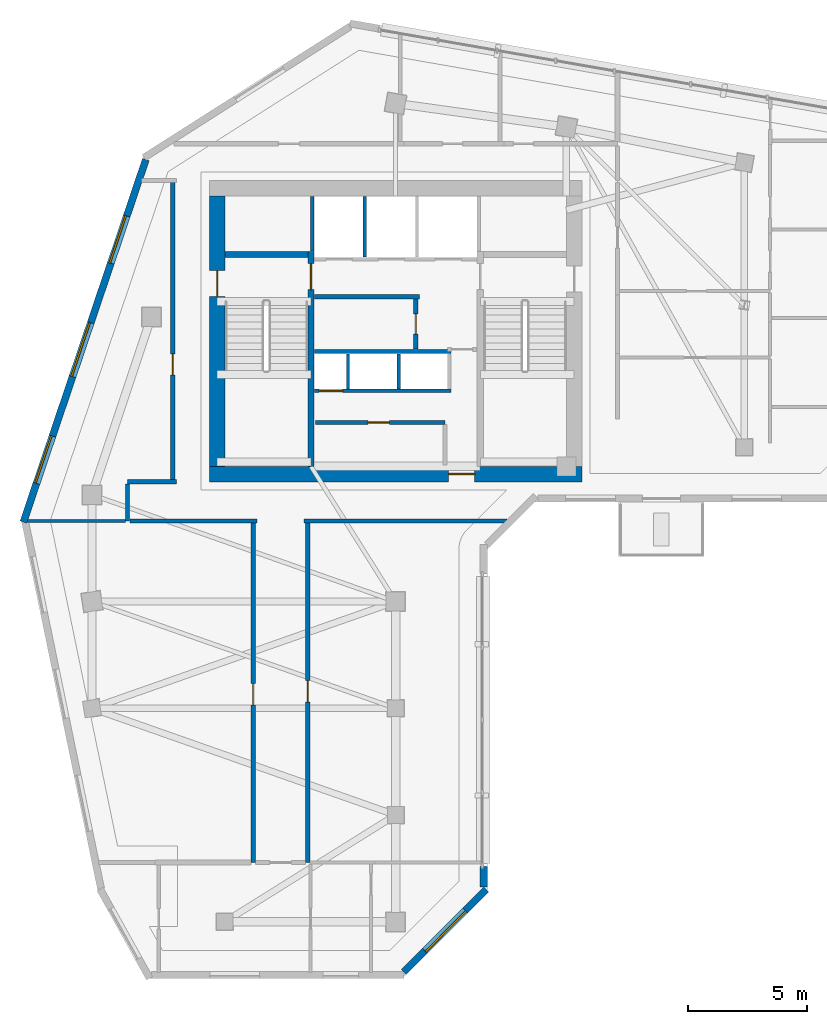
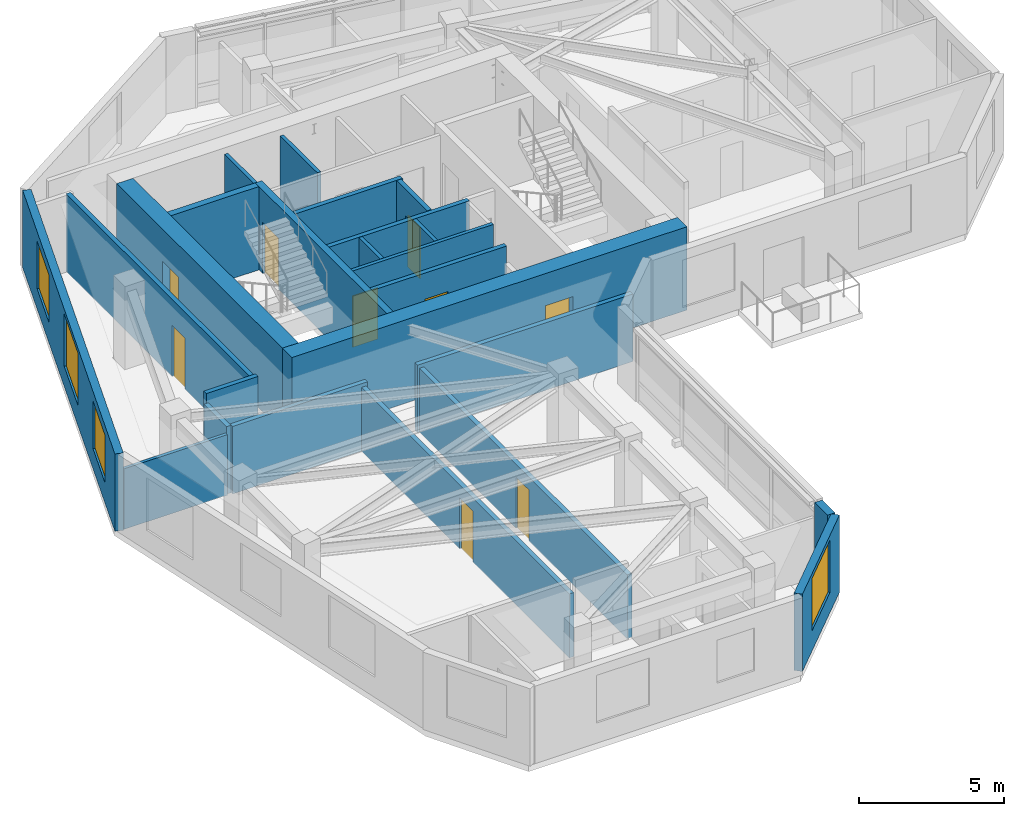
# One storey, part 4 of 9: 24 walls, 9 doors, 4 windows, 13 openings.
"""IFC4 building model written with IfcOpenShell, lengths in metres."""

from ifc_helpers import new_model, si_unit, direction, frame, frame_2d, origin, place, context, subcontext, project, spatial, rectangle, extrude, source, transform, mapped, material, layer, layer_set, type_object, element, fill, save


model = new_model("IFC4")

# Units and contexts
model_context = context("Model", 3, precision=1e-05, world=origin(), true_north=direction((0.0, 1.0)))
body_context = subcontext(model_context, "Body", "Model", "MODEL_VIEW")
ifc_project = project(units=[si_unit("LENGTHUNIT", "METRE"), si_unit("AREAUNIT", "SQUARE_METRE"), si_unit("VOLUMEUNIT", "CUBIC_METRE"), si_unit("PLANEANGLEUNIT", "RADIAN"), si_unit("MASSUNIT", "GRAM", prefix="KILO")], contexts=[model_context])

# Site, building, storey
site_placement = place(None, origin())
site = spatial("IfcSite", under=ifc_project, at=site_placement, CompositionType="ELEMENT")
building_placement = place(site_placement, origin())
building = spatial("IfcBuilding", under=site, at=building_placement, Name="Calvemar Wedge Station Tower", CompositionType="ELEMENT")
storey_placement = place(building_placement, frame((0.0, 0.0, 225.39990234375)))
storey = spatial("IfcBuildingStorey", under=building, at=storey_placement, Name="L57", CompositionType="ELEMENT", Elevation=225.39990234375)

# Wall, opening, door
ifc_material_1 = material(Name="Concrete C50", Category="concrete")
ifc_layer_1 = layer(ifc_material_1, 0.260009765625)
ifc_layer_set_1 = layer_set([ifc_layer_1], Name="Concrete C50")
wall_type_1 = type_object("IfcWallType", Name="SW-CORE-260", PredefinedType="SHEAR", material=ifc_layer_set_1)
wall_1_placement = place(storey_placement, frame((20.22998046875, 34.199951171875, 0.0), z_axis=(0.0, 0.0, 1.0), x_axis=(0.0, 1.0, 0.0)))
wall_1 = element("IfcWall", 1, at=wall_1_placement, inside=storey, type_object=wall_type_1, Name="Storey L57 Core Shear Wall SPINE-W", PredefinedType="SHEAR", context=body_context, shape_type="SweptSolid", body=[
    extrude(rectangle(XDim=9.06005859375, YDim=0.260009765625, at=frame_2d((4.530029296875, 0.0))), origin(), (0.0, 0.0, 1.0), 3.5),
])
shared_shape_1 = source(origin(), body_context, "Body", "SweptSolid", [
    extrude(rectangle(XDim=1.10009765625, YDim=2.14990234375, at=frame_2d((0.550048828125, 1.074951171875))), frame((0.0, 0.14013671875, 0.0), z_axis=(0.0, -1.0, 0.0), x_axis=(1.0, 0.0, 0.0)), (0.0, 0.0, 1.0), 0.280029296875),
])
opening_1_placement = place(wall_1_placement, frame((7.449951171875, 0.0, 0.0)))
opening_1 = element("IfcOpeningElement", 2, at=opening_1_placement, cuts=wall_1, Name="Opening FD-90", PredefinedType="OPENING", context=body_context, shape_type="MappedRepresentation", body=[
    mapped(shared_shape_1, transform((0.0, 0.0, 0.0), scale=1.0)),
])
ifc_material_2 = material(Name="Galvanized fire-rated steel door leaf P-90", Category="steel")
door_type_1 = type_object("IfcDoorType", Name="DR-FD90-1100", OperationType="NOTDEFINED", PredefinedType="DOOR", material=ifc_material_2)
shared_shape_2 = source(origin(), body_context, "Body", "SweptSolid", [
    extrude(rectangle(XDim=1.10009765625, YDim=2.14990234375, at=frame_2d((0.550048828125, 1.074951171875))), frame((0.0, 0.02490234375, 0.0), z_axis=(0.0, -1.0, 0.0), x_axis=(1.0, 0.0, 0.0)), (0.0, 0.0, 1.0), 0.050048828125),
])
door_1_placement = place(opening_1_placement, origin())
door_1 = element("IfcDoor", 3, at=door_1_placement, inside=storey, type_object=door_type_1, Name="L57 FF Lobby to Stair ST-C1 Door", OperationType="SINGLE_SWING_RIGHT", OverallHeight=2.14990234375, OverallWidth=1.10009765625, PredefinedType="DOOR", context=body_context, shape_type="MappedRepresentation", body=[
    mapped(shared_shape_2, transform((0.0, 0.0, 0.0), scale=1.0)),
])
fill(opening_1, door_1)

# Wall
wall_2_placement = place(storey_placement, frame((16.60009765625, 43.1298828125, 0.0), z_axis=(0.0, 0.0, 1.0), x_axis=(1.0, 0.0, 0.0)))
element("IfcWall", 4, at=wall_2_placement, inside=storey, type_object=wall_type_1, Name="Storey L57 Core Shear Wall STC1-N", PredefinedType="SHEAR", context=body_context, shape_type="SweptSolid", body=[
    extrude(rectangle(XDim=3.5, YDim=0.260009765625, at=frame_2d((1.75, 0.0))), origin(), (0.0, 0.0, 1.0), 3.5),
])

# Wall, opening, door
ifc_material_3 = material(Name="Concrete C60", Category="concrete")
ifc_layer_2 = layer(ifc_material_3, 0.64990234375)
ifc_layer_set_2 = layer_set([ifc_layer_2], Name="Concrete C60")
wall_type_2 = type_object("IfcWallType", Name="SW-CORE-650", PredefinedType="SHEAR", material=ifc_layer_set_2)
wall_3_placement = place(storey_placement, frame((15.949951171875, 33.875, 0.0), z_axis=(0.0, 0.0, 1.0), x_axis=(1.0, 0.0, 0.0)))
wall_3 = element("IfcWall", 5, at=wall_3_placement, inside=storey, type_object=wall_type_2, Name="Storey L57 Core Shear Wall S", PredefinedType="SHEAR", context=body_context, shape_type="SweptSolid", body=[
    extrude(rectangle(XDim=15.699951171875, YDim=0.64990234375, at=frame_2d((7.85009765625, 0.0))), origin(), (0.0, 0.0, 1.0), 3.5),
])
shared_shape_3 = source(origin(), body_context, "Body", "SweptSolid", [
    extrude(rectangle(XDim=1.10009765625, YDim=2.14990234375, at=frame_2d((0.550048828125, 1.074951171875))), frame((0.0, 0.3349609375, 0.0), z_axis=(0.0, -1.0, 0.0), x_axis=(1.0, 0.0, 0.0)), (0.0, 0.0, 1.0), 0.669921875),
])
opening_2_placement = place(wall_3_placement, frame((10.080078125, 0.0, 0.0)))
opening_2 = element("IfcOpeningElement", 6, at=opening_2_placement, cuts=wall_3, Name="Opening FD-90", PredefinedType="OPENING", context=body_context, shape_type="MappedRepresentation", body=[
    mapped(shared_shape_3, transform((0.0, 0.0, 0.0), scale=1.0)),
])
door_2_placement = place(opening_2_placement, origin())
door_2 = element("IfcDoor", 7, at=door_2_placement, inside=storey, type_object=door_type_1, Name="L57 Passenger Lift Lobby Door", OperationType="SINGLE_SWING_RIGHT", OverallHeight=2.14990234375, OverallWidth=1.10009765625, PredefinedType="DOOR", context=body_context, shape_type="MappedRepresentation", body=[
    mapped(shared_shape_2, transform((0.0, 0.0, 0.0), scale=1.0)),
])
fill(opening_2, door_2)

wall_4_placement = place(storey_placement, frame((16.27490234375, 34.199951171875, 0.0), z_axis=(0.0, 0.0, 1.0), x_axis=(0.0, 1.0, 0.0)))
wall_4 = element("IfcWall", 8, at=wall_4_placement, inside=storey, type_object=wall_type_2, Name="Storey L57 Core Shear Wall W", PredefinedType="SHEAR", context=body_context, shape_type="SweptSolid", body=[
    extrude(rectangle(XDim=11.400146484375, YDim=0.64990234375, at=frame_2d((5.7001953125, 0.0))), origin(), (0.0, 0.0, 1.0), 3.5),
])
opening_3_placement = place(wall_4_placement, frame((7.14990234375, 0.0, 0.0)))
opening_3 = element("IfcOpeningElement", 9, at=opening_3_placement, cuts=wall_4, Name="Opening FD-90", PredefinedType="OPENING", context=body_context, shape_type="MappedRepresentation", body=[
    mapped(shared_shape_3, transform((0.0, 0.0, 0.0), scale=1.0)),
])
door_3_placement = place(opening_3_placement, origin())
door_3 = element("IfcDoor", 10, at=door_3_placement, inside=storey, type_object=door_type_1, Name="L57 West Corridor to Exit Stair ST-C1 Door", OperationType="SINGLE_SWING_RIGHT", OverallHeight=2.14990234375, OverallWidth=1.10009765625, PredefinedType="DOOR", context=body_context, shape_type="MappedRepresentation", body=[
    mapped(shared_shape_2, transform((0.0, 0.0, 0.0), scale=1.0)),
])
fill(opening_3, door_3)

# Wall
ifc_material_4 = material(Name="Double-stud fire-rated corridor partition")
ifc_layer_3 = layer(ifc_material_4, 0.179931640625)
ifc_layer_set_3 = layer_set([ifc_layer_3], Name="Double-stud fire-rated corridor partition")
wall_type_3 = type_object("IfcWallType", Name="W-CORR-180", PredefinedType="PARTITIONING", material=ifc_layer_set_3)
wall_5_placement = place(storey_placement, frame((24.81005859375, 41.35009765625, 0.0), z_axis=(0.0, 0.0, 1.0), x_axis=(-1.0, 0.0, 0.0)))
element("IfcWall", 11, at=wall_5_placement, inside=storey, type_object=wall_type_3, Name="Storey L57 Interior Partition WL-L57-001", PredefinedType="PARTITIONING", context=body_context, shape_type="SweptSolid", body=[
    extrude(rectangle(XDim=4.43017578125, YDim=0.179931640625, at=frame_2d((2.215087890625, 0.0))), origin(), (0.0, 0.0, 1.0), 3.25),
])

# Wall, opening, door
wall_6_placement = place(storey_placement, frame((24.64990234375, 41.256103515625, 0.0), z_axis=(0.0, 0.0, 1.0), x_axis=(0.0, -1.0, 0.0)))
wall_6 = element("IfcWall", 12, at=wall_6_placement, inside=storey, type_object=wall_type_3, Name="Storey L57 Interior Partition WL-L57-002", PredefinedType="PARTITIONING", context=body_context, shape_type="SweptSolid", body=[
    extrude(rectangle(XDim=2.106201171875, YDim=0.179931640625, at=frame_2d((1.05322265625, 0.0))), origin(), (0.0, 0.0, 1.0), 3.25),
])
shared_shape_4 = source(origin(), body_context, "Body", "SweptSolid", [
    extrude(rectangle(XDim=0.85009765625, YDim=2.14990234375, at=frame_2d((0.425048828125, 1.074951171875))), frame((0.0, 0.10009765625, 0.0), z_axis=(0.0, -1.0, 0.0), x_axis=(1.0, 0.0, 0.0)), (0.0, 0.0, 1.0), 0.199951171875),
])
opening_4_placement = place(wall_6_placement, frame((0.6279296875, 0.0, 0.0)))
opening_4 = element("IfcOpeningElement", 13, at=opening_4_placement, cuts=wall_6, Name="Opening FD-60S", PredefinedType="OPENING", context=body_context, shape_type="MappedRepresentation", body=[
    mapped(shared_shape_4, transform((0.0, 0.0, 0.0), scale=1.0)),
])
ifc_material_5 = material(Name="Fire-rated steel and hardwood service door EI 60", Category="steel")
door_type_2 = type_object("IfcDoorType", Name="DR-CORE-FD60-850", OperationType="NOTDEFINED", PredefinedType="DOOR", material=ifc_material_5)
shared_shape_5 = source(origin(), body_context, "Body", "SweptSolid", [
    extrude(rectangle(XDim=0.85009765625, YDim=2.14990234375, at=frame_2d((0.425048828125, 1.074951171875))), frame((0.0, 0.02490234375, 0.0), z_axis=(0.0, -1.0, 0.0), x_axis=(1.0, 0.0, 0.0)), (0.0, 0.0, 1.0), 0.050048828125),
])
door_4_placement = place(opening_4_placement, origin())
door_4 = element("IfcDoor", 14, at=door_4_placement, inside=storey, type_object=door_type_2, Name="L57 Cleaner and Linen Store Door", OperationType="SINGLE_SWING_LEFT", OverallHeight=2.14990234375, OverallWidth=0.85009765625, PredefinedType="DOOR", context=body_context, shape_type="MappedRepresentation", body=[
    mapped(shared_shape_5, transform((0.0, 0.0, 0.0), scale=1.0)),
])
fill(opening_4, door_4)

wall_7_placement = place(storey_placement, frame((20.419921875, 36.050048828125, 0.0), z_axis=(0.0, 0.0, 1.0), x_axis=(1.0, 0.0, 0.0)))
wall_7 = element("IfcWall", 15, at=wall_7_placement, inside=storey, type_object=wall_type_3, Name="Storey L57 Interior Partition WL-L57-004", PredefinedType="PARTITIONING", context=body_context, shape_type="SweptSolid", body=[
    extrude(rectangle(XDim=5.4599609375, YDim=0.179931640625, at=frame_2d((2.72998046875, 0.0))), origin(), (0.0, 0.0, 1.0), 3.25),
])
shared_shape_6 = source(origin(), body_context, "Body", "SweptSolid", [
    extrude(rectangle(XDim=0.89990234375, YDim=2.14990234375, at=frame_2d((0.449951171875, 1.074951171875))), frame((0.0, 0.10009765625, 0.0), z_axis=(0.0, -1.0, 0.0), x_axis=(1.0, 0.0, 0.0)), (0.0, 0.0, 1.0), 0.199951171875),
])
opening_5_placement = place(wall_7_placement, frame((2.219482421875, 0.0, 0.0)))
opening_5 = element("IfcOpeningElement", 16, at=opening_5_placement, cuts=wall_7, Name="Opening FD-60", PredefinedType="OPENING", context=body_context, shape_type="MappedRepresentation", body=[
    mapped(shared_shape_6, transform((0.0, 0.0, 0.0), scale=1.0)),
])
ifc_material_6 = material(Name="Fire-rated acoustic timber-core entrance door EI 60", Category="wood")
door_type_3 = type_object("IfcDoorType", Name="DR-FD60-900", OperationType="NOTDEFINED", PredefinedType="DOOR", material=ifc_material_6)
shared_shape_7 = source(origin(), body_context, "Body", "SweptSolid", [
    extrude(rectangle(XDim=0.89990234375, YDim=2.14990234375, at=frame_2d((0.449951171875, 1.074951171875))), frame((0.0, 0.02490234375, 0.0), z_axis=(0.0, -1.0, 0.0), x_axis=(1.0, 0.0, 0.0)), (0.0, 0.0, 1.0), 0.050048828125),
])
door_5_placement = place(opening_5_placement, origin())
door_5 = element("IfcDoor", 17, at=door_5_placement, inside=storey, type_object=door_type_3, Name="L57 Parcel and Resident Store Door", OperationType="SINGLE_SWING_LEFT", OverallHeight=2.14990234375, OverallWidth=0.89990234375, PredefinedType="DOOR", context=body_context, shape_type="MappedRepresentation", body=[
    mapped(shared_shape_7, transform((0.0, 0.0, 0.0), scale=1.0)),
])
fill(opening_5, door_5)

# Walls
wall_8_placement = place(storey_placement, frame((12.5, 33.550048828125, 0.0), z_axis=(0.0, 0.0, 1.0), x_axis=(1.0, 0.0, 0.0)))
element("IfcWall", 18, at=wall_8_placement, inside=storey, type_object=wall_type_3, Name="Storey L57 Interior Partition WL-L57-006", PredefinedType="PARTITIONING", context=body_context, shape_type="SweptSolid", body=[
    extrude(rectangle(XDim=2.06005859375, YDim=0.179931640625, at=frame_2d((1.030029296875, 0.0))), origin(), (0.0, 0.0, 1.0), 3.25),
])
wall_9_placement = place(storey_placement, frame((12.5, 31.89990234375, 0.0), z_axis=(0.0, 0.0, 1.0), x_axis=(0.0, 1.0, 0.0)))
element("IfcWall", 19, at=wall_9_placement, inside=storey, type_object=wall_type_3, Name="Storey L57 Interior Partition WL-L57-007", PredefinedType="PARTITIONING", context=body_context, shape_type="SweptSolid", body=[
    extrude(rectangle(XDim=1.55615234375, YDim=0.179931640625, at=frame_2d((0.778076171875, 0.0))), origin(), (0.0, 0.0, 1.0), 2.835205078125),
])
wall_10_placement = place(storey_placement, frame((17.9599609375, 31.89990234375, 0.0), z_axis=(0.0, 0.0, 1.0), x_axis=(-1.0, 0.0, 0.0)))
element("IfcWall", 20, at=wall_10_placement, inside=storey, type_object=wall_type_3, Name="Storey L57 Interior Partition WL-L57-008", PredefinedType="PARTITIONING", context=body_context, shape_type="SweptSolid", body=[
    extrude(rectangle(XDim=5.365966796875, YDim=0.179931640625, at=frame_2d((2.68310546875, 0.0))), origin(), (0.0, 0.0, 1.0), 2.835205078125),
])
wall_11_placement = place(storey_placement, frame((28.497314453125, 31.89990234375, 0.0), z_axis=(0.0, 0.0, 1.0), x_axis=(-1.0, 0.0, 0.0)))
element("IfcWall", 21, at=wall_11_placement, inside=storey, type_object=wall_type_3, Name="Storey L57 Interior Partition WL-L57-009", PredefinedType="PARTITIONING", context=body_context, shape_type="SweptSolid", body=[
    extrude(rectangle(XDim=8.557373046875, YDim=0.179931640625, at=frame_2d((4.27880859375, 0.0))), origin(), (0.0, 0.0, 1.0), 2.835205078125),
])

# Wall, opening, door
wall_12_placement = place(storey_placement, frame((14.39990234375, 33.64404296875, 0.0), z_axis=(0.0, 0.0, 1.0), x_axis=(0.0, 1.0, 0.0)))
wall_12 = element("IfcWall", 22, at=wall_12_placement, inside=storey, type_object=wall_type_3, Name="Storey L57 Interior Partition WL-L57-010", PredefinedType="PARTITIONING", context=body_context, shape_type="SweptSolid", body=[
    extrude(rectangle(XDim=12.60595703125, YDim=0.179931640625, at=frame_2d((6.302978515625, 0.0))), origin(), (0.0, 0.0, 1.0), 3.25),
])
opening_6_placement = place(wall_12_placement, frame((4.399169921875, 0.0, 0.0)))
opening_6 = element("IfcOpeningElement", 23, at=opening_6_placement, cuts=wall_12, Name="Opening D-01", PredefinedType="OPENING", context=body_context, shape_type="MappedRepresentation", body=[
    mapped(shared_shape_6, transform((0.0, 0.0, 0.0), scale=1.0)),
])
ifc_material_7 = material(Name="Architectural hardwood acoustic swing door", Category="wood")
door_type_4 = type_object("IfcDoorType", Name="DR-INT-900", OperationType="NOTDEFINED", PredefinedType="DOOR", material=ifc_material_7)
shared_shape_8 = source(origin(), body_context, "Body", "SweptSolid", [
    extrude(rectangle(XDim=0.89990234375, YDim=2.14990234375, at=frame_2d((0.449951171875, 1.074951171875))), frame((0.0, 0.02490234375, 0.0), z_axis=(0.0, -1.0, 0.0), x_axis=(1.0, 0.0, 0.0)), (0.0, 0.0, 1.0), 0.050048828125),
])
door_6_placement = place(opening_6_placement, origin())
door_6 = element("IfcDoor", 24, at=door_6_placement, inside=storey, type_object=door_type_4, Name="L57 Resident Reading Lounge Door", OperationType="SINGLE_SWING_RIGHT", OverallHeight=2.14990234375, OverallWidth=0.89990234375, PredefinedType="DOOR", context=body_context, shape_type="MappedRepresentation", body=[
    mapped(shared_shape_8, transform((0.0, 0.0, 0.0), scale=1.0)),
])
fill(opening_6, door_6)

wall_13_placement = place(storey_placement, frame((17.800048828125, 17.5, 0.0), z_axis=(0.0, 0.0, 1.0), x_axis=(0.0, 1.0, 0.0)))
wall_13 = element("IfcWall", 25, at=wall_13_placement, inside=storey, type_object=wall_type_3, Name="Storey L57 Interior Partition WL-L57-036", PredefinedType="PARTITIONING", context=body_context, shape_type="SweptSolid", body=[
    extrude(rectangle(XDim=14.305908203125, YDim=0.179931640625, at=frame_2d((7.15283203125, 0.0))), origin(), (0.0, 0.0, 1.0), 2.68798828125),
])
opening_7_placement = place(wall_13_placement, frame((6.64306640625, 0.0, 0.0)))
opening_7 = element("IfcOpeningElement", 26, at=opening_7_placement, cuts=wall_13, Name="Opening D-01", PredefinedType="OPENING", context=body_context, shape_type="MappedRepresentation", body=[
    mapped(shared_shape_6, transform((0.0, 0.0, 0.0), scale=1.0)),
])
door_7_placement = place(opening_7_placement, origin())
door_7 = element("IfcDoor", 27, at=door_7_placement, inside=storey, type_object=door_type_4, Name="L57 Fitness Studio Door", OperationType="SINGLE_SWING_RIGHT", OverallHeight=2.14990234375, OverallWidth=0.89990234375, PredefinedType="DOOR", context=body_context, shape_type="MappedRepresentation", body=[
    mapped(shared_shape_8, transform((0.0, 0.0, 0.0), scale=1.0)),
])
fill(opening_7, door_7)

wall_14_placement = place(storey_placement, frame((20.10009765625, 31.805908203125, 0.0), z_axis=(0.0, 0.0, 1.0), x_axis=(0.0, -1.0, 0.0)))
wall_14 = element("IfcWall", 28, at=wall_14_placement, inside=storey, type_object=wall_type_3, Name="Storey L57 Interior Partition WL-L57-037", PredefinedType="PARTITIONING", context=body_context, shape_type="SweptSolid", body=[
    extrude(rectangle(XDim=14.305908203125, YDim=0.179931640625, at=frame_2d((7.15283203125, 0.0))), origin(), (0.0, 0.0, 1.0), 2.68798828125),
])
opening_8_placement = place(wall_14_placement, frame((6.64306640625, 0.0, 0.0)))
opening_8 = element("IfcOpeningElement", 29, at=opening_8_placement, cuts=wall_14, Name="Opening D-01", PredefinedType="OPENING", context=body_context, shape_type="MappedRepresentation", body=[
    mapped(shared_shape_6, transform((0.0, 0.0, 0.0), scale=1.0)),
])
door_8_placement = place(opening_8_placement, origin())
door_8 = element("IfcDoor", 30, at=door_8_placement, inside=storey, type_object=door_type_4, Name="L57 Resident Music Salon Door", OperationType="SINGLE_SWING_LEFT", OverallHeight=2.14990234375, OverallWidth=0.89990234375, PredefinedType="DOOR", context=body_context, shape_type="MappedRepresentation", body=[
    mapped(shared_shape_8, transform((0.0, 0.0, 0.0), scale=1.0)),
])
fill(opening_8, door_8)

# Wall, opening, window
ifc_material_8 = material(Name="Precast concrete C45", Category="concrete")
ifc_layer_4 = layer(ifc_material_8, 0.300048828125)
ifc_layer_set_4 = layer_set([ifc_layer_4], Name="Precast concrete C45")
wall_type_4 = type_object("IfcWallType", Name="W-EXT-GFRC-300", PredefinedType="SOLIDWALL", material=ifc_layer_set_4)
wall_15_placement = place(storey_placement, frame((24.139892578125, 12.887939453125, 0.0), z_axis=(0.0, 0.0, 1.0), x_axis=(0.707106781187, 0.707106781187, 0.0)))
wall_15 = element("IfcWall", 31, at=wall_15_placement, inside=storey, type_object=wall_type_4, Name="Storey L57 Bronze GFRC Exterior Wall 3", PredefinedType="SOLIDWALL", context=body_context, shape_type="SweptSolid", body=[
    extrude(rectangle(XDim=4.921875, YDim=0.300048828125, at=frame_2d((2.4609375, 0.0))), origin(), (0.0, 0.0, 1.0), 3.25),
])
shared_shape_9 = source(origin(), body_context, "Body", "SweptSolid", [
    extrude(rectangle(XDim=2.39990234375, YDim=2.199951171875, at=frame_2d((1.199951171875, 1.10009765625))), frame((0.0, 0.16015625, 0.0), z_axis=(0.0, -1.0, 0.0), x_axis=(1.0, 0.0, 0.0)), (0.0, 0.0, 1.0), 0.320068359375),
])
opening_9_placement = place(wall_15_placement, frame((1.260986328125, 0.0, 0.85009765625)))
opening_9 = element("IfcOpeningElement", 32, at=opening_9_placement, cuts=wall_15, Name="Opening W1", PredefinedType="OPENING", context=body_context, shape_type="MappedRepresentation", body=[
    mapped(shared_shape_9, transform((0.0, 0.0, 0.0), scale=1.0)),
])
ifc_material_9 = material(Name="Low-E laminated insulated glass", Category="glass")
window_type_1 = type_object("IfcWindowType", Name="WIN-EXT-1", PartitioningType="SINGLE_PANEL", PredefinedType="WINDOW", material=ifc_material_9)
shared_shape_10 = source(origin(), body_context, "Body", "SweptSolid", [
    extrude(rectangle(XDim=2.39990234375, YDim=2.199951171875, at=frame_2d((1.199951171875, 1.10009765625))), frame((0.0, -0.014892578125, 0.0), z_axis=(0.0, -1.0, 0.0), x_axis=(1.0, 0.0, 0.0)), (0.0, 0.0, 1.0), 0.06005859375),
])
window_1_placement = place(opening_9_placement, origin())
window_1 = element("IfcWindow", 33, at=window_1_placement, inside=storey, type_object=window_type_1, Name="Storey L57 Recessed Window 3.1", OverallHeight=2.199951171875, OverallWidth=2.39990234375, PartitioningType="SINGLE_PANEL", PredefinedType="WINDOW", context=body_context, shape_type="MappedRepresentation", body=[
    mapped(shared_shape_10, transform((0.0, 0.0, 0.0), scale=1.0)),
])
fill(opening_9, window_1)

# Wall
wall_16_placement = place(storey_placement, frame((27.513916015625, 16.457275390625, 0.0), z_axis=(0.0, 0.0, 1.0), x_axis=(0.0, 1.0, 0.0)))
element("IfcWall", 34, at=wall_16_placement, inside=storey, type_object=wall_type_4, Name="Storey L57 Bronze GFRC Corner Pier 4A", PredefinedType="SOLIDWALL", context=body_context, shape_type="SweptSolid", body=[
    extrude(rectangle(XDim=0.88232421875, YDim=0.300048828125, at=frame_2d((0.441162109375, 0.0))), origin(), (0.0, 0.0, 1.0), 3.25),
])

# Wall, openings, windows
wall_17_placement = place(storey_placement, frame((13.2685546875, 47.1337890625, 0.0), z_axis=(0.0, 0.0, 1.0), x_axis=(-0.319920776449, -0.947444297464, 0.0)))
wall_17 = element("IfcWall", 35, at=wall_17_placement, inside=storey, type_object=wall_type_4, Name="Storey L57 Bronze GFRC Exterior Wall 12", PredefinedType="SOLIDWALL", context=body_context, shape_type="SweptSolid", body=[
    extrude(rectangle(XDim=16.13330078125, YDim=0.300048828125, at=frame_2d((8.066650390625, 0.0))), origin(), (0.0, 0.0, 1.0), 3.25),
])
shared_shape_11 = source(origin(), body_context, "Body", "SweptSolid", [
    extrude(rectangle(XDim=2.10009765625, YDim=2.0, at=frame_2d((1.050048828125, 1.0))), frame((0.0, 0.16015625, 0.0), z_axis=(0.0, -1.0, 0.0), x_axis=(1.0, 0.0, 0.0)), (0.0, 0.0, 1.0), 0.320068359375),
])
opening_10_placement = place(wall_17_placement, frame((2.512939453125, 0.0, 0.85009765625)))
opening_10 = element("IfcOpeningElement", 36, at=opening_10_placement, cuts=wall_17, Name="Opening W4", PredefinedType="OPENING", context=body_context, shape_type="MappedRepresentation", body=[
    mapped(shared_shape_11, transform((0.0, 0.0, 0.0), scale=1.0)),
])
opening_11_placement = place(wall_17_placement, frame((7.260009765625, 0.0, 0.85009765625)))
opening_11 = element("IfcOpeningElement", 37, at=opening_11_placement, cuts=wall_17, Name="Opening W1", PredefinedType="OPENING", context=body_context, shape_type="MappedRepresentation", body=[
    mapped(shared_shape_9, transform((0.0, 0.0, 0.0), scale=1.0)),
])
opening_12_placement = place(wall_17_placement, frame((12.306884765625, 0.0, 0.85009765625)))
opening_12 = element("IfcOpeningElement", 38, at=opening_12_placement, cuts=wall_17, Name="Opening W4", PredefinedType="OPENING", context=body_context, shape_type="MappedRepresentation", body=[
    mapped(shared_shape_11, transform((0.0, 0.0, 0.0), scale=1.0)),
])
window_type_2 = type_object("IfcWindowType", Name="WIN-EXT-4", PartitioningType="SINGLE_PANEL", PredefinedType="WINDOW", material=ifc_material_9)
shared_shape_12 = source(origin(), body_context, "Body", "SweptSolid", [
    extrude(rectangle(XDim=2.10009765625, YDim=2.0, at=frame_2d((1.050048828125, 1.0))), frame((0.0, -0.014892578125, 0.0), z_axis=(0.0, -1.0, 0.0), x_axis=(1.0, 0.0, 0.0)), (0.0, 0.0, 1.0), 0.06005859375),
])
window_2_placement = place(opening_10_placement, origin())
window_2 = element("IfcWindow", 39, at=window_2_placement, inside=storey, type_object=window_type_2, Name="Storey L57 Recessed Window 12.1", OverallHeight=2.0, OverallWidth=2.10009765625, PartitioningType="SINGLE_PANEL", PredefinedType="WINDOW", context=body_context, shape_type="MappedRepresentation", body=[
    mapped(shared_shape_12, transform((0.0, 0.0, 0.0), scale=1.0)),
])
fill(opening_10, window_2)
window_3_placement = place(opening_12_placement, origin())
window_3 = element("IfcWindow", 40, at=window_3_placement, inside=storey, type_object=window_type_2, Name="Storey L57 Recessed Window 12.3", OverallHeight=2.0, OverallWidth=2.10009765625, PartitioningType="SINGLE_PANEL", PredefinedType="WINDOW", context=body_context, shape_type="MappedRepresentation", body=[
    mapped(shared_shape_12, transform((0.0, 0.0, 0.0), scale=1.0)),
])
fill(opening_12, window_3)
window_4_placement = place(opening_11_placement, origin())
window_4 = element("IfcWindow", 41, at=window_4_placement, inside=storey, type_object=window_type_1, Name="Storey L57 Recessed Window 12.2", OverallHeight=2.199951171875, OverallWidth=2.39990234375, PartitioningType="SINGLE_PANEL", PredefinedType="WINDOW", context=body_context, shape_type="MappedRepresentation", body=[
    mapped(shared_shape_10, transform((0.0, 0.0, 0.0), scale=1.0)),
])
fill(opening_11, window_4)

# Walls
ifc_material_10 = material(Name="Reinforced concrete blockwork lift shaft wall", Category="masonry")
ifc_layer_5 = layer(ifc_material_10, 0.139892578125)
ifc_layer_set_5 = layer_set([ifc_layer_5], Name="Reinforced concrete blockwork lift shaft wall")
wall_type_5 = type_object("IfcWallType", Name="W-LIFT-160", PredefinedType="SOLIDWALL", material=ifc_layer_set_5)
wall_18_placement = place(storey_placement, frame((20.2900390625, 43.280029296875, 0.0), z_axis=(0.0, 0.0, 1.0), x_axis=(0.0, 1.0, 0.0)))
element("IfcWall", 42, at=wall_18_placement, inside=storey, type_object=wall_type_5, Name="Storey L57 Firefighting Lift Shaft Enclosure Wall W", PredefinedType="SOLIDWALL", context=body_context, shape_type="SweptSolid", body=[
    extrude(rectangle(XDim=2.300048828125, YDim=0.139892578125, at=frame_2d((1.14990234375, 0.0))), origin(), (0.0, 0.0, 1.0), 3.25),
])
wall_19_placement = place(storey_placement, frame((22.5, 43.02001953125, 0.0), z_axis=(0.0, 0.0, 1.0), x_axis=(0.0, 1.0, 0.0)))
element("IfcWall", 43, at=wall_19_placement, inside=storey, type_object=wall_type_5, Name="Storey L57 Firefighting Lift Shaft Enclosure Wall D1", PredefinedType="SOLIDWALL", context=body_context, shape_type="SweptSolid", body=[
    extrude(rectangle(XDim=2.56005859375, YDim=0.139892578125, at=frame_2d((1.280029296875, 0.0))), origin(), (0.0, 0.0, 1.0), 3.25),
])

# Wall, opening, door
wall_20_placement = place(storey_placement, frame((20.3798828125, 37.3798828125, 0.0), z_axis=(0.0, 0.0, 1.0), x_axis=(1.0, 0.0, 0.0)))
wall_20 = element("IfcWall", 44, at=wall_20_placement, inside=storey, type_object=wall_type_5, Name="Storey L57 Upper Passenger Lift Bank Front Wall", PredefinedType="SOLIDWALL", context=body_context, shape_type="SweptSolid", body=[
    extrude(rectangle(XDim=5.75, YDim=0.139892578125, at=frame_2d((2.875, 0.0))), origin(), (0.0, 0.0, 1.0), 3.25),
])
shared_shape_13 = source(origin(), body_context, "Body", "SweptSolid", [
    extrude(rectangle(XDim=1.0, YDim=2.14990234375, at=frame_2d((0.5, 1.074951171875))), frame((0.0, 0.080078125, 0.0), z_axis=(0.0, -1.0, 0.0), x_axis=(1.0, 0.0, 0.0)), (0.0, 0.0, 1.0), 0.159912109375),
])
opening_13_placement = place(wall_20_placement, frame((0.18994140625, 0.0, 0.0)))
opening_13 = element("IfcOpeningElement", 45, at=opening_13_placement, cuts=wall_20, Name="Opening LD-PAX", PredefinedType="OPENING", context=body_context, shape_type="MappedRepresentation", body=[
    mapped(shared_shape_13, transform((0.0, 0.0, 0.0), scale=1.0)),
])
ifc_material_11 = material(Name="Anodised bronze passenger lift sliding landing door")
door_type_5 = type_object("IfcDoorType", Name="DR-LD-PAX-1000", OperationType="SLIDING_TO_LEFT", PredefinedType="DOOR", material=ifc_material_11)
shared_shape_14 = source(origin(), body_context, "Body", "SweptSolid", [
    extrude(rectangle(XDim=1.0, YDim=2.14990234375, at=frame_2d((0.5, 1.074951171875))), frame((0.0, 0.02490234375, 0.0), z_axis=(0.0, -1.0, 0.0), x_axis=(1.0, 0.0, 0.0)), (0.0, 0.0, 1.0), 0.050048828125),
])
door_9_placement = place(opening_13_placement, origin())
door_9 = element("IfcDoor", 46, at=door_9_placement, inside=storey, type_object=door_type_5, Name="L57 Lift RH-01 Sliding Landing Door", OperationType="SLIDING_TO_LEFT", OverallHeight=2.14990234375, OverallWidth=1.0, PredefinedType="DOOR", context=body_context, shape_type="MappedRepresentation", body=[
    mapped(shared_shape_14, transform((0.0, 0.0, 0.0), scale=1.0)),
])
fill(opening_13, door_9)

# Walls
for number, where, z_axis, x_axis, name in (
    (47, (21.794921875, 37.4599609375, 0.0), (0.0, 0.0, 1.0), (0.0, 1.0, 0.0), "Storey L57 Upper Passenger Lift Shaft Wall D1"),
    (48, (23.93505859375, 37.4599609375, 0.0), (0.0, 0.0, 1.0), (0.0, 1.0, 0.0), "Storey L57 Upper Passenger Lift Shaft Wall D2"),
):
    element("IfcWall", number, at=place(storey_placement, frame(where, z_axis=z_axis, x_axis=x_axis)), inside=storey, type_object=wall_type_5, Name=name, PredefinedType="SOLIDWALL", context=body_context, shape_type="SweptSolid", body=[
        extrude(rectangle(XDim=1.47998046875, YDim=0.139892578125, at=frame_2d((0.739990234375, 0.0))), origin(), (0.0, 0.0, 1.0), 3.25),
    ])
ifc_material_12 = material(Name="Insulated acoustic gypsum stud partition")
ifc_layer_6 = layer(ifc_material_12, 0.125)
ifc_layer_set_6 = layer_set([ifc_layer_6], Name="Insulated acoustic gypsum stud partition")
wall_type_6 = type_object("IfcWallType", Name="W-PART-125", PredefinedType="PARTITIONING", material=ifc_layer_set_6)
wall_21_placement = place(storey_placement, frame((12.406005859375, 31.89990234375, 0.0), z_axis=(0.0, 0.0, 1.0), x_axis=(-1.0, 0.0, 0.0)))
element("IfcWall", 49, at=wall_21_placement, inside=storey, type_object=wall_type_6, Name="Storey L57 Interior Partition WL-L57-019", PredefinedType="PARTITIONING", context=body_context, shape_type="SweptSolid", body=[
    extrude(rectangle(XDim=4.11474609375, YDim=0.125, at=frame_2d((2.057373046875, 0.0))), origin(), (0.0, 0.0, 1.0), 2.5419921875),
])
ifc_material_13 = material(Name="Concrete blockwork and fireboard shaft wall", Category="masonry")
ifc_layer_7 = layer(ifc_material_13, 0.199951171875)
ifc_layer_set_7 = layer_set([ifc_layer_7], Name="Concrete blockwork and fireboard shaft wall")
wall_type_7 = type_object("IfcWallType", Name="W-SHAFT-200", PredefinedType="SOLIDWALL", material=ifc_layer_set_7)
wall_22_placement = place(storey_placement, frame((20.3798828125, 39.0400390625, 0.0), z_axis=(0.0, 0.0, 1.0), x_axis=(1.0, 0.0, 0.0)))
element("IfcWall", 50, at=wall_22_placement, inside=storey, type_object=wall_type_7, Name="Storey L57 Upper Passenger Lift Bank Rear Shaft Wall", PredefinedType="SOLIDWALL", context=body_context, shape_type="SweptSolid", body=[
    extrude(rectangle(XDim=5.75, YDim=0.179931640625, at=frame_2d((2.875, 0.0))), origin(), (0.0, 0.0, 1.0), 3.25),
])

save(model, "model.ifc")
